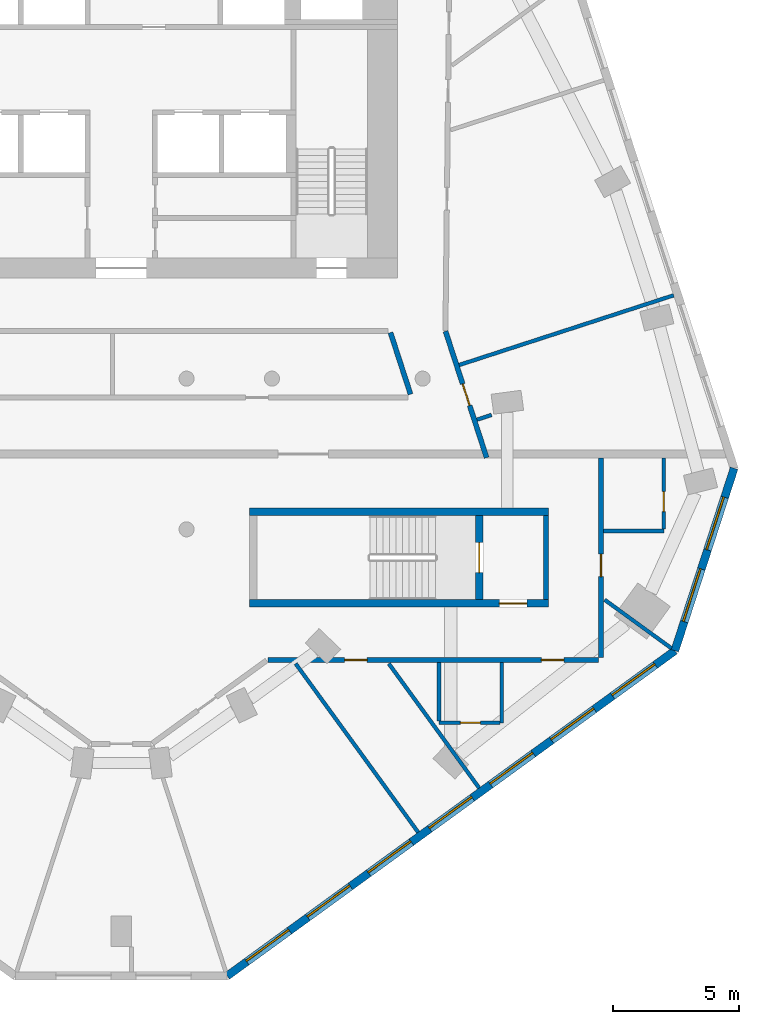
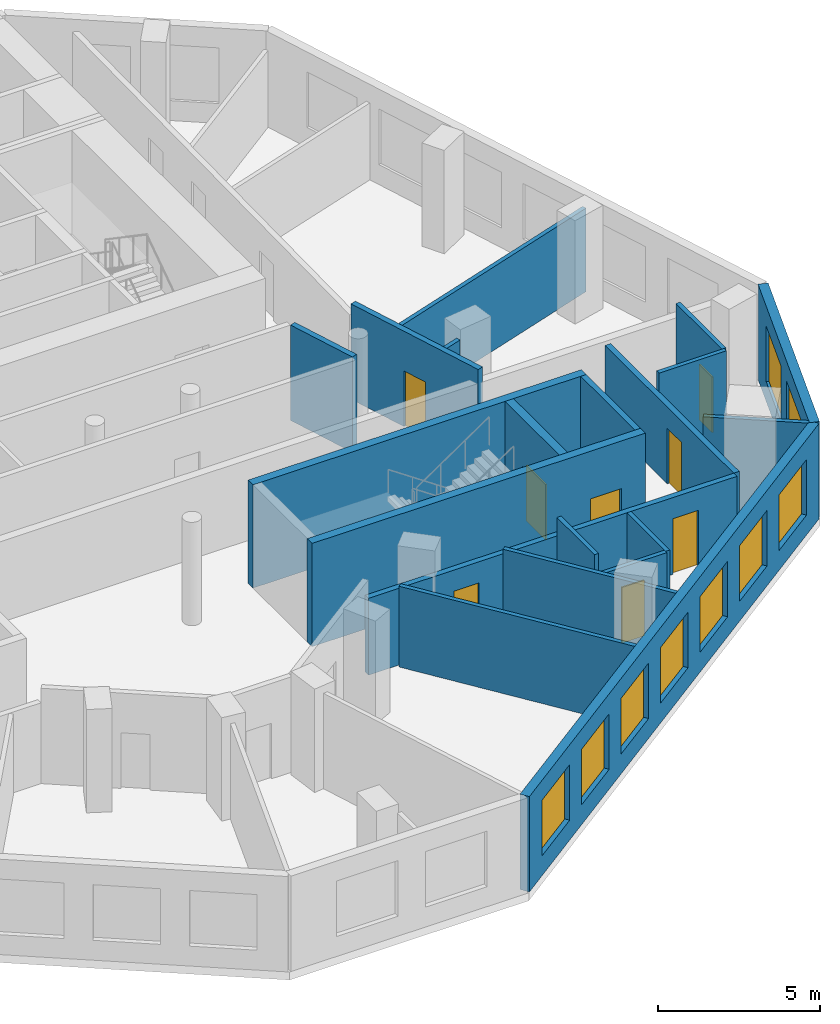
# One storey, part 4 of 9: 20 walls, 9 windows, 8 doors, 17 openings.
"""IFC4 building model written with IfcOpenShell, lengths in metres."""

from ifc_helpers import new_model, si_unit, direction, frame, frame_2d, origin, place, context, subcontext, project, spatial, rectangle, extrude, material, layer, layer_set, type_object, element, fill, save


model = new_model("IFC4")

# Units and contexts
model_context = context("Model", 3, precision=1e-05, world=origin(), true_north=direction((0.0, 1.0)))
body_context = subcontext(model_context, "Body", "Model", "MODEL_VIEW")
ifc_project = project(units=[si_unit("LENGTHUNIT", "METRE"), si_unit("AREAUNIT", "SQUARE_METRE"), si_unit("VOLUMEUNIT", "CUBIC_METRE"), si_unit("PLANEANGLEUNIT", "RADIAN"), si_unit("MASSUNIT", "GRAM", prefix="KILO")], contexts=[model_context])

# Site, building, storey
site_placement = place(None, origin())
site = spatial("IfcSite", under=ifc_project, at=site_placement, CompositionType="ELEMENT")
building_placement = place(site_placement, origin())
building = spatial("IfcBuilding", under=site, at=building_placement, Name="White Candle Pilgrim Tower", CompositionType="ELEMENT")
storey_placement = place(building_placement, frame((0.0, 0.0, 223.800048828125)))
storey = spatial("IfcBuildingStorey", under=building, at=storey_placement, Name="L52", CompositionType="ELEMENT", Elevation=223.800048828125)

# Wall
ifc_material_1 = material(Name="Concrete C50/60", Category="concrete")
ifc_layer_1 = layer(ifc_material_1, 0.199951171875)
ifc_layer_set_1 = layer_set([ifc_layer_1], Name="Core wall 200 mm Concrete C50/60")
wall_type_1 = type_object("IfcWallType", Name="Core wall 200 mm Concrete C50/60", PredefinedType="SHEAR", material=ifc_layer_set_1)
wall_1_placement = place(storey_placement, frame((86.89990234375, 58.199951171875, 0.0), z_axis=(0.0, 0.0, 1.0), x_axis=(0.0, 1.0, 0.0)))
element("IfcWall", 1, at=wall_1_placement, inside=storey, type_object=wall_type_1, Name="WL-L52-C08", PredefinedType="SHEAR", context=body_context, shape_type="SweptSolid", body=[
    extrude(rectangle(XDim=3.35009765625, YDim=0.199951171875, at=frame_2d((1.675048828125, 0.0))), origin(), (0.0, 0.0, 1.0), 3.89990234375),
])

# Wall, opening, door
ifc_material_2 = material(Name="Gypsum board on steel studs", Category="steel")
ifc_layer_2 = layer(ifc_material_2, 0.199951171875)
ifc_layer_set_2 = layer_set([ifc_layer_2], Name="Corridor wall 200 mm EI 45")
wall_type_2 = type_object("IfcWallType", Name="Corridor wall 200 mm EI 45", PredefinedType="PARTITIONING", material=ifc_layer_set_2)
wall_2_placement = place(storey_placement, frame((82.909912109375, 68.884521484375, 0.0), z_axis=(0.0, 0.0, 1.0), x_axis=(0.309009941901, -0.951058807754, 0.0)))
wall_2 = element("IfcWall", 2, at=wall_2_placement, inside=storey, type_object=wall_type_2, Name="WL-L52-P005", PredefinedType="PARTITIONING", context=body_context, shape_type="SweptSolid", body=[
    extrude(rectangle(XDim=5.29345703125, YDim=0.199951171875, at=frame_2d((2.646728515625, 0.0))), origin(), (0.0, 0.0, 1.0), 3.599853515625),
])
opening_1_placement = place(wall_2_placement, frame((2.203857421875, 0.0, 0.0)))
opening_1 = element("IfcOpeningElement", 3, at=opening_1_placement, cuts=wall_2, Name="Opening T16-123", PredefinedType="OPENING", context=body_context, shape_type="SweptSolid", body=[
    extrude(rectangle(XDim=0.89990234375, YDim=2.10009765625, at=frame_2d((0.449951171875, 1.050048828125))), frame((0.0, 0.10986328125, 0.0), z_axis=(0.0, -1.0, 0.0), x_axis=(1.0, 0.0, 0.0)), (0.0, 0.0, 1.0), 0.219970703125),
])
ifc_material_3 = material(Name="Steel door leaf", Category="steel")
door_type_1 = type_object("IfcDoorType", Name="Fire door 900 x 2100 EI 30", OperationType="NOTDEFINED", PredefinedType="DOOR", material=ifc_material_3)
door_1_placement = place(opening_1_placement, origin())
door_1 = element("IfcDoor", 4, at=door_1_placement, inside=storey, type_object=door_type_1, Name="Door T16-123", OperationType="SINGLE_SWING_LEFT", OverallHeight=2.10009765625, OverallWidth=0.89990234375, PredefinedType="DOOR", context=body_context, shape_type="SweptSolid", body=[
    extrude(rectangle(XDim=0.89990234375, YDim=2.10009765625, at=frame_2d((0.449951171875, 1.050048828125))), frame((0.0, 0.02490234375, 0.0), z_axis=(0.0, -1.0, 0.0), x_axis=(1.0, 0.0, 0.0)), (0.0, 0.0, 1.0), 0.050048828125),
])
fill(opening_1, door_1)

wall_3_placement = place(storey_placement, frame((89.10009765625, 63.85009765625, 0.0), z_axis=(0.0, 0.0, 1.0), x_axis=(0.0, -1.0, 0.0)))
wall_3 = element("IfcWall", 5, at=wall_3_placement, inside=storey, type_object=wall_type_2, Name="WL-L52-P006", PredefinedType="PARTITIONING", context=body_context, shape_type="SweptSolid", body=[
    extrude(rectangle(XDim=7.9501953125, YDim=0.199951171875, at=frame_2d((3.97509765625, 0.0))), origin(), (0.0, 0.0, 1.0), 2.89990234375),
])
opening_2_placement = place(wall_3_placement, frame((3.833251953125, 0.0, 0.0)))
opening_2 = element("IfcOpeningElement", 6, at=opening_2_placement, cuts=wall_3, Name="Opening T16-113", PredefinedType="OPENING", context=body_context, shape_type="SweptSolid", body=[
    extrude(rectangle(XDim=0.89990234375, YDim=2.10009765625, at=frame_2d((0.449951171875, 1.050048828125))), frame((0.0, 0.10986328125, 0.0), z_axis=(0.0, -1.0, 0.0), x_axis=(1.0, 0.0, 0.0)), (0.0, 0.0, 1.0), 0.219970703125),
])
door_2_placement = place(opening_2_placement, origin())
door_2 = element("IfcDoor", 7, at=door_2_placement, inside=storey, type_object=door_type_1, Name="Door T16-113", OperationType="SINGLE_SWING_LEFT", OverallHeight=2.10009765625, OverallWidth=0.89990234375, PredefinedType="DOOR", context=body_context, shape_type="SweptSolid", body=[
    extrude(rectangle(XDim=0.89990234375, YDim=2.10009765625, at=frame_2d((0.449951171875, 1.050048828125))), frame((0.0, 0.02490234375, 0.0), z_axis=(0.0, -1.0, 0.0), x_axis=(1.0, 0.0, 0.0)), (0.0, 0.0, 1.0), 0.050048828125),
])
fill(opening_2, door_2)

# Wall, openings, doors
wall_4_placement = place(storey_placement, frame((89.0, 55.800048828125, 0.0), z_axis=(0.0, 0.0, 1.0), x_axis=(-1.0, 0.0, 0.0)))
wall_4 = element("IfcWall", 8, at=wall_4_placement, inside=storey, type_object=wall_type_2, Name="WL-L52-P007", PredefinedType="PARTITIONING", context=body_context, shape_type="SweptSolid", body=[
    extrude(rectangle(XDim=13.156982421875, YDim=0.199951171875, at=frame_2d((6.57861328125, 0.0))), origin(), (0.0, 0.0, 1.0), 2.89990234375),
])
opening_3_placement = place(wall_4_placement, frame((9.2080078125, 0.0, 0.0)))
opening_3 = element("IfcOpeningElement", 9, at=opening_3_placement, cuts=wall_4, Name="Opening T16-109", PredefinedType="OPENING", context=body_context, shape_type="SweptSolid", body=[
    extrude(rectangle(XDim=0.89990234375, YDim=2.10009765625, at=frame_2d((0.449951171875, 1.050048828125))), frame((0.0, 0.10986328125, 0.0), z_axis=(0.0, -1.0, 0.0), x_axis=(1.0, 0.0, 0.0)), (0.0, 0.0, 1.0), 0.219970703125),
])
opening_4_placement = place(wall_4_placement, frame((1.376953125, 0.0, 0.0)))
opening_4 = element("IfcOpeningElement", 10, at=opening_4_placement, cuts=wall_4, Name="Opening T16-111", PredefinedType="OPENING", context=body_context, shape_type="SweptSolid", body=[
    extrude(rectangle(XDim=0.89990234375, YDim=2.10009765625, at=frame_2d((0.449951171875, 1.050048828125))), frame((0.0, 0.10986328125, 0.0), z_axis=(0.0, -1.0, 0.0), x_axis=(1.0, 0.0, 0.0)), (0.0, 0.0, 1.0), 0.219970703125),
])
door_3_placement = place(opening_3_placement, origin())
door_3 = element("IfcDoor", 11, at=door_3_placement, inside=storey, type_object=door_type_1, Name="Door T16-109", OperationType="SINGLE_SWING_LEFT", OverallHeight=2.10009765625, OverallWidth=0.89990234375, PredefinedType="DOOR", context=body_context, shape_type="SweptSolid", body=[
    extrude(rectangle(XDim=0.89990234375, YDim=2.10009765625, at=frame_2d((0.449951171875, 1.050048828125))), frame((0.0, 0.02490234375, 0.0), z_axis=(0.0, -1.0, 0.0), x_axis=(1.0, 0.0, 0.0)), (0.0, 0.0, 1.0), 0.050048828125),
])
fill(opening_3, door_3)
door_4_placement = place(opening_4_placement, origin())
door_4 = element("IfcDoor", 12, at=door_4_placement, inside=storey, type_object=door_type_1, Name="Door T16-111", OperationType="SINGLE_SWING_LEFT", OverallHeight=2.10009765625, OverallWidth=0.89990234375, PredefinedType="DOOR", context=body_context, shape_type="SweptSolid", body=[
    extrude(rectangle(XDim=0.89990234375, YDim=2.10009765625, at=frame_2d((0.449951171875, 1.050048828125))), frame((0.0, 0.02490234375, 0.0), z_axis=(0.0, -1.0, 0.0), x_axis=(1.0, 0.0, 0.0)), (0.0, 0.0, 1.0), 0.050048828125),
])
fill(opening_4, door_4)

# Wall
wall_5_placement = place(storey_placement, frame((81.51513671875, 66.380859375, 0.0), z_axis=(0.0, 0.0, 1.0), x_axis=(-0.308968203288, 0.951072368097, 0.0)))
element("IfcWall", 13, at=wall_5_placement, inside=storey, type_object=wall_type_2, Name="WL-L52-P016", PredefinedType="PARTITIONING", context=body_context, shape_type="SweptSolid", body=[
    extrude(rectangle(XDim=2.575927734375, YDim=0.199951171875, at=frame_2d((1.2880859375, 0.0))), origin(), (0.0, 0.0, 1.0), 3.599853515625),
])

# Wall, openings, windows
ifc_material_4 = material(Name="Precast concrete C40/50", Category="concrete")
ifc_layer_3 = layer(ifc_material_4, 0.320068359375)
ifc_layer_set_3 = layer_set([ifc_layer_3], Name="Facade wall EW1 precast concrete C40/50 pier wall with timber-lined reveals")
wall_type_3 = type_object("IfcWallType", Name="Facade wall EW1 precast concrete C40/50 pier wall with timber-lined reveals", PredefinedType="SOLIDWALL", material=ifc_layer_set_3)
wall_6_placement = place(storey_placement, frame((74.21826171875, 43.221923828125, 0.0), z_axis=(0.0, 0.0, 1.0), x_axis=(0.809020717907, 0.587780127256, 0.0)))
wall_6 = element("IfcWall", 14, at=wall_6_placement, inside=storey, type_object=wall_type_3, Name="Facade wall L52 SE", PredefinedType="SOLIDWALL", context=body_context, shape_type="SweptSolid", body=[
    extrude(rectangle(XDim=22.02490234375, YDim=0.320068359375, at=frame_2d((11.012451171875, 0.0))), origin(), (0.0, 0.0, 1.0), 3.599853515625),
])
opening_5_placement = place(wall_6_placement, frame((0.96240234375, 0.0, 0.75)))
opening_5 = element("IfcOpeningElement", 15, at=opening_5_placement, cuts=wall_6, Name="Opening W3", PredefinedType="OPENING", context=body_context, shape_type="SweptSolid", body=[
    extrude(rectangle(XDim=2.10009765625, YDim=2.10009765625, at=frame_2d((1.050048828125, 1.050048828125))), frame((0.0, 0.169921875, 0.0), z_axis=(0.0, -1.0, 0.0), x_axis=(1.0, 0.0, 0.0)), (0.0, 0.0, 1.0), 0.340087890625),
])
opening_6_placement = place(wall_6_placement, frame((3.96240234375, 0.0, 0.75)))
opening_6 = element("IfcOpeningElement", 16, at=opening_6_placement, cuts=wall_6, Name="Opening W3", PredefinedType="OPENING", context=body_context, shape_type="SweptSolid", body=[
    extrude(rectangle(XDim=2.10009765625, YDim=2.10009765625, at=frame_2d((1.050048828125, 1.050048828125))), frame((0.0, 0.169921875, 0.0), z_axis=(0.0, -1.0, 0.0), x_axis=(1.0, 0.0, 0.0)), (0.0, 0.0, 1.0), 0.340087890625),
])
opening_7_placement = place(wall_6_placement, frame((6.96240234375, 0.0, 0.75)))
opening_7 = element("IfcOpeningElement", 17, at=opening_7_placement, cuts=wall_6, Name="Opening W3", PredefinedType="OPENING", context=body_context, shape_type="SweptSolid", body=[
    extrude(rectangle(XDim=2.10009765625, YDim=2.10009765625, at=frame_2d((1.050048828125, 1.050048828125))), frame((0.0, 0.169921875, 0.0), z_axis=(0.0, -1.0, 0.0), x_axis=(1.0, 0.0, 0.0)), (0.0, 0.0, 1.0), 0.340087890625),
])
opening_8_placement = place(wall_6_placement, frame((9.96240234375, 0.0, 0.75)))
opening_8 = element("IfcOpeningElement", 18, at=opening_8_placement, cuts=wall_6, Name="Opening W3", PredefinedType="OPENING", context=body_context, shape_type="SweptSolid", body=[
    extrude(rectangle(XDim=2.10009765625, YDim=2.10009765625, at=frame_2d((1.050048828125, 1.050048828125))), frame((0.0, 0.169921875, 0.0), z_axis=(0.0, -1.0, 0.0), x_axis=(1.0, 0.0, 0.0)), (0.0, 0.0, 1.0), 0.340087890625),
])
opening_9_placement = place(wall_6_placement, frame((12.96240234375, 0.0, 0.75)))
opening_9 = element("IfcOpeningElement", 19, at=opening_9_placement, cuts=wall_6, Name="Opening W3", PredefinedType="OPENING", context=body_context, shape_type="SweptSolid", body=[
    extrude(rectangle(XDim=2.10009765625, YDim=2.10009765625, at=frame_2d((1.050048828125, 1.050048828125))), frame((0.0, 0.169921875, 0.0), z_axis=(0.0, -1.0, 0.0), x_axis=(1.0, 0.0, 0.0)), (0.0, 0.0, 1.0), 0.340087890625),
])
opening_10_placement = place(wall_6_placement, frame((15.96240234375, 0.0, 0.75)))
opening_10 = element("IfcOpeningElement", 20, at=opening_10_placement, cuts=wall_6, Name="Opening W3", PredefinedType="OPENING", context=body_context, shape_type="SweptSolid", body=[
    extrude(rectangle(XDim=2.10009765625, YDim=2.10009765625, at=frame_2d((1.050048828125, 1.050048828125))), frame((0.0, 0.169921875, 0.0), z_axis=(0.0, -1.0, 0.0), x_axis=(1.0, 0.0, 0.0)), (0.0, 0.0, 1.0), 0.340087890625),
])
opening_11_placement = place(wall_6_placement, frame((18.96240234375, 0.0, 0.75)))
opening_11 = element("IfcOpeningElement", 21, at=opening_11_placement, cuts=wall_6, Name="Opening W3", PredefinedType="OPENING", context=body_context, shape_type="SweptSolid", body=[
    extrude(rectangle(XDim=2.10009765625, YDim=2.10009765625, at=frame_2d((1.050048828125, 1.050048828125))), frame((0.0, 0.169921875, 0.0), z_axis=(0.0, -1.0, 0.0), x_axis=(1.0, 0.0, 0.0)), (0.0, 0.0, 1.0), 0.340087890625),
])
ifc_material_5 = material(Name="Timber frame with triple glazing", Category="wood")
window_type_1 = type_object("IfcWindowType", Name="Window W3 2100x2100 timber frame triple glazing", PartitioningType="SINGLE_PANEL", PredefinedType="WINDOW", material=ifc_material_5)
window_1_placement = place(opening_5_placement, origin())
window_1 = element("IfcWindow", 22, at=window_1_placement, inside=storey, type_object=window_type_1, Name="Window W3 L52 SE 1", OverallHeight=2.10009765625, OverallWidth=2.10009765625, PartitioningType="SINGLE_PANEL", PredefinedType="WINDOW", context=body_context, shape_type="SweptSolid", body=[
    extrude(rectangle(XDim=2.10009765625, YDim=2.10009765625, at=frame_2d((1.050048828125, 1.050048828125))), frame((0.0, 0.070068359375, 0.0), z_axis=(0.0, -1.0, 0.0), x_axis=(1.0, 0.0, 0.0)), (0.0, 0.0, 1.0), 0.06005859375),
])
fill(opening_5, window_1)
window_2_placement = place(opening_6_placement, origin())
window_2 = element("IfcWindow", 23, at=window_2_placement, inside=storey, type_object=window_type_1, Name="Window W3 L52 SE 2", OverallHeight=2.10009765625, OverallWidth=2.10009765625, PartitioningType="SINGLE_PANEL", PredefinedType="WINDOW", context=body_context, shape_type="SweptSolid", body=[
    extrude(rectangle(XDim=2.10009765625, YDim=2.10009765625, at=frame_2d((1.050048828125, 1.050048828125))), frame((0.0, 0.070068359375, 0.0), z_axis=(0.0, -1.0, 0.0), x_axis=(1.0, 0.0, 0.0)), (0.0, 0.0, 1.0), 0.06005859375),
])
fill(opening_6, window_2)
window_3_placement = place(opening_7_placement, origin())
window_3 = element("IfcWindow", 24, at=window_3_placement, inside=storey, type_object=window_type_1, Name="Window W3 L52 SE 3", OverallHeight=2.10009765625, OverallWidth=2.10009765625, PartitioningType="SINGLE_PANEL", PredefinedType="WINDOW", context=body_context, shape_type="SweptSolid", body=[
    extrude(rectangle(XDim=2.10009765625, YDim=2.10009765625, at=frame_2d((1.050048828125, 1.050048828125))), frame((0.0, 0.070068359375, 0.0), z_axis=(0.0, -1.0, 0.0), x_axis=(1.0, 0.0, 0.0)), (0.0, 0.0, 1.0), 0.06005859375),
])
fill(opening_7, window_3)
window_4_placement = place(opening_8_placement, origin())
window_4 = element("IfcWindow", 25, at=window_4_placement, inside=storey, type_object=window_type_1, Name="Window W3 L52 SE 4", OverallHeight=2.10009765625, OverallWidth=2.10009765625, PartitioningType="SINGLE_PANEL", PredefinedType="WINDOW", context=body_context, shape_type="SweptSolid", body=[
    extrude(rectangle(XDim=2.10009765625, YDim=2.10009765625, at=frame_2d((1.050048828125, 1.050048828125))), frame((0.0, 0.070068359375, 0.0), z_axis=(0.0, -1.0, 0.0), x_axis=(1.0, 0.0, 0.0)), (0.0, 0.0, 1.0), 0.06005859375),
])
fill(opening_8, window_4)
window_5_placement = place(opening_9_placement, origin())
window_5 = element("IfcWindow", 26, at=window_5_placement, inside=storey, type_object=window_type_1, Name="Window W3 L52 SE 5", OverallHeight=2.10009765625, OverallWidth=2.10009765625, PartitioningType="SINGLE_PANEL", PredefinedType="WINDOW", context=body_context, shape_type="SweptSolid", body=[
    extrude(rectangle(XDim=2.10009765625, YDim=2.10009765625, at=frame_2d((1.050048828125, 1.050048828125))), frame((0.0, 0.070068359375, 0.0), z_axis=(0.0, -1.0, 0.0), x_axis=(1.0, 0.0, 0.0)), (0.0, 0.0, 1.0), 0.06005859375),
])
fill(opening_9, window_5)
window_6_placement = place(opening_10_placement, origin())
window_6 = element("IfcWindow", 27, at=window_6_placement, inside=storey, type_object=window_type_1, Name="Window W3 L52 SE 6", OverallHeight=2.10009765625, OverallWidth=2.10009765625, PartitioningType="SINGLE_PANEL", PredefinedType="WINDOW", context=body_context, shape_type="SweptSolid", body=[
    extrude(rectangle(XDim=2.10009765625, YDim=2.10009765625, at=frame_2d((1.050048828125, 1.050048828125))), frame((0.0, 0.070068359375, 0.0), z_axis=(0.0, -1.0, 0.0), x_axis=(1.0, 0.0, 0.0)), (0.0, 0.0, 1.0), 0.06005859375),
])
fill(opening_10, window_6)
window_7_placement = place(opening_11_placement, origin())
window_7 = element("IfcWindow", 28, at=window_7_placement, inside=storey, type_object=window_type_1, Name="Window W3 L52 SE 7", OverallHeight=2.10009765625, OverallWidth=2.10009765625, PartitioningType="SINGLE_PANEL", PredefinedType="WINDOW", context=body_context, shape_type="SweptSolid", body=[
    extrude(rectangle(XDim=2.10009765625, YDim=2.10009765625, at=frame_2d((1.050048828125, 1.050048828125))), frame((0.0, 0.070068359375, 0.0), z_axis=(0.0, -1.0, 0.0), x_axis=(1.0, 0.0, 0.0)), (0.0, 0.0, 1.0), 0.06005859375),
])
fill(opening_11, window_7)

wall_7_placement = place(storey_placement, frame((92.036865234375, 56.167724609375, 0.0), z_axis=(0.0, 0.0, 1.0), x_axis=(0.308997893913, 0.951062722199, 0.0)))
wall_7 = element("IfcWall", 29, at=wall_7_placement, inside=storey, type_object=wall_type_3, Name="Facade wall L52 E chamfer", PredefinedType="SOLIDWALL", context=body_context, shape_type="SweptSolid", body=[
    extrude(rectangle(XDim=7.637939453125, YDim=0.320068359375, at=frame_2d((3.81884765625, 0.0))), origin(), (0.0, 0.0, 1.0), 3.599853515625),
])
opening_12_placement = place(wall_7_placement, frame((1.218994140625, 0.0, 0.75)))
opening_12 = element("IfcOpeningElement", 30, at=opening_12_placement, cuts=wall_7, Name="Opening W4", PredefinedType="OPENING", context=body_context, shape_type="SweptSolid", body=[
    extrude(rectangle(XDim=2.199951171875, YDim=2.10009765625, at=frame_2d((1.10009765625, 1.050048828125))), frame((0.0, 0.169921875, 0.0), z_axis=(0.0, -1.0, 0.0), x_axis=(1.0, 0.0, 0.0)), (0.0, 0.0, 1.0), 0.340087890625),
])
opening_13_placement = place(wall_7_placement, frame((4.218994140625, 0.0, 0.75)))
opening_13 = element("IfcOpeningElement", 31, at=opening_13_placement, cuts=wall_7, Name="Opening W4", PredefinedType="OPENING", context=body_context, shape_type="SweptSolid", body=[
    extrude(rectangle(XDim=2.199951171875, YDim=2.10009765625, at=frame_2d((1.10009765625, 1.050048828125))), frame((0.0, 0.169921875, 0.0), z_axis=(0.0, -1.0, 0.0), x_axis=(1.0, 0.0, 0.0)), (0.0, 0.0, 1.0), 0.340087890625),
])
window_type_2 = type_object("IfcWindowType", Name="Window W4 2200x2100 timber frame triple glazing", PartitioningType="SINGLE_PANEL", PredefinedType="WINDOW", material=ifc_material_5)
window_8_placement = place(opening_12_placement, origin())
window_8 = element("IfcWindow", 32, at=window_8_placement, inside=storey, type_object=window_type_2, Name="Window W4 L52 E chamfer 1", OverallHeight=2.10009765625, OverallWidth=2.199951171875, PartitioningType="SINGLE_PANEL", PredefinedType="WINDOW", context=body_context, shape_type="SweptSolid", body=[
    extrude(rectangle(XDim=2.199951171875, YDim=2.10009765625, at=frame_2d((1.10009765625, 1.050048828125))), frame((0.0, 0.070068359375, 0.0), z_axis=(0.0, -1.0, 0.0), x_axis=(1.0, 0.0, 0.0)), (0.0, 0.0, 1.0), 0.06005859375),
])
fill(opening_12, window_8)
window_9_placement = place(opening_13_placement, origin())
window_9 = element("IfcWindow", 33, at=window_9_placement, inside=storey, type_object=window_type_2, Name="Window W4 L52 E chamfer 2", OverallHeight=2.10009765625, OverallWidth=2.199951171875, PartitioningType="SINGLE_PANEL", PredefinedType="WINDOW", context=body_context, shape_type="SweptSolid", body=[
    extrude(rectangle(XDim=2.199951171875, YDim=2.10009765625, at=frame_2d((1.10009765625, 1.050048828125))), frame((0.0, 0.070068359375, 0.0), z_axis=(0.0, -1.0, 0.0), x_axis=(1.0, 0.0, 0.0)), (0.0, 0.0, 1.0), 0.06005859375),
])
fill(opening_13, window_9)

# Walls
ifc_layer_4 = layer(ifc_material_2, 0.14990234375)
ifc_layer_set_4 = layer_set([ifc_layer_4], Name="Partition 150 mm EI 60")
wall_type_4 = type_object("IfcWallType", Name="Partition 150 mm EI 60", PredefinedType="PARTITIONING", material=ifc_layer_set_4)
wall_8_placement = place(storey_placement, frame((91.900634765625, 56.2666015625, 0.0), z_axis=(0.0, 0.0, 1.0), x_axis=(-0.808999643258, 0.587809133315, 0.0)))
element("IfcWall", 34, at=wall_8_placement, inside=storey, type_object=wall_type_4, Name="WL-L52-P021", PredefinedType="PARTITIONING", context=body_context, shape_type="SweptSolid", body=[
    extrude(rectangle(XDim=3.28369140625, YDim=0.14990234375, at=frame_2d((1.641845703125, 0.0))), origin(), (0.0, 0.0, 1.0), 3.599853515625),
])
wall_9_placement = place(storey_placement, frame((81.820068359375, 48.942626953125, 0.0), z_axis=(0.0, 0.0, 1.0), x_axis=(-0.587795526612, 0.809009529545, 0.0)))
element("IfcWall", 35, at=wall_9_placement, inside=storey, type_object=wall_type_4, Name="WL-L52-P029", PredefinedType="PARTITIONING", context=body_context, shape_type="SweptSolid", body=[
    extrude(rectangle(XDim=8.29833984375, YDim=0.14990234375, at=frame_2d((4.149169921875, 0.0))), origin(), (0.0, 0.0, 1.0), 3.050048828125),
])
wall_10_placement = place(storey_placement, frame((84.2470703125, 50.705810546875, 0.0), z_axis=(0.0, 0.0, 1.0), x_axis=(-0.58777542513, 0.809024134135, 0.0)))
element("IfcWall", 36, at=wall_10_placement, inside=storey, type_object=wall_type_4, Name="WL-L52-P030", PredefinedType="PARTITIONING", context=body_context, shape_type="SweptSolid", body=[
    extrude(rectangle(XDim=6.11865234375, YDim=0.14990234375, at=frame_2d((3.059326171875, 0.0))), origin(), (0.0, 0.0, 1.0), 3.14990234375),
])
wall_11_placement = place(storey_placement, frame((85.14599609375, 55.699951171875, 0.0), z_axis=(0.0, 0.0, 1.0), x_axis=(0.0, -1.0, 0.0)))
element("IfcWall", 37, at=wall_11_placement, inside=storey, type_object=wall_type_4, Name="WL-L52-P031", PredefinedType="PARTITIONING", context=body_context, shape_type="SweptSolid", body=[
    extrude(rectangle(XDim=2.39990234375, YDim=0.14990234375, at=frame_2d((1.199951171875, 0.0))), origin(), (0.0, 0.0, 1.0), 2.89990234375),
])

# Wall, opening, door
wall_12_placement = place(storey_placement, frame((82.64599609375, 53.300048828125, 0.0), z_axis=(0.0, 0.0, 1.0), x_axis=(1.0, 0.0, 0.0)))
wall_12 = element("IfcWall", 38, at=wall_12_placement, inside=storey, type_object=wall_type_4, Name="WL-L52-P032", PredefinedType="PARTITIONING", context=body_context, shape_type="SweptSolid", body=[
    extrude(rectangle(XDim=2.425048828125, YDim=0.14990234375, at=frame_2d((1.21240234375, 0.0))), origin(), (0.0, 0.0, 1.0), 2.89990234375),
])
opening_14_placement = place(wall_12_placement, frame((0.85009765625, 0.0, 0.0)))
opening_14 = element("IfcOpeningElement", 39, at=opening_14_placement, cuts=wall_12, Name="Opening T16-110", PredefinedType="OPENING", context=body_context, shape_type="SweptSolid", body=[
    extrude(rectangle(XDim=0.800048828125, YDim=2.10009765625, at=frame_2d((0.39990234375, 1.050048828125))), frame((0.0, 0.0849609375, 0.0), z_axis=(0.0, -1.0, 0.0), x_axis=(1.0, 0.0, 0.0)), (0.0, 0.0, 1.0), 0.169921875),
])
door_type_2 = type_object("IfcDoorType", Name="Fire door 800 x 2100 EI 30", OperationType="NOTDEFINED", PredefinedType="DOOR", material=ifc_material_3)
door_5_placement = place(opening_14_placement, frame((0.800048828125, 0.0, 0.0), z_axis=(0.0, 0.0, 1.0), x_axis=(-1.0, 0.0, 0.0)))
door_5 = element("IfcDoor", 40, at=door_5_placement, inside=storey, type_object=door_type_2, Name="Door T16-110", OperationType="SINGLE_SWING_LEFT", OverallHeight=2.10009765625, OverallWidth=0.800048828125, PredefinedType="DOOR", context=body_context, shape_type="SweptSolid", body=[
    extrude(rectangle(XDim=0.800048828125, YDim=2.10009765625, at=frame_2d((0.39990234375, 1.050048828125))), frame((0.0, 0.02490234375, 0.0), z_axis=(0.0, -1.0, 0.0), x_axis=(1.0, 0.0, 0.0)), (0.0, 0.0, 1.0), 0.050048828125),
])
fill(opening_14, door_5)

# Walls
wall_13_placement = place(storey_placement, frame((82.64599609375, 55.699951171875, 0.0), z_axis=(0.0, 0.0, 1.0), x_axis=(0.0, -1.0, 0.0)))
element("IfcWall", 41, at=wall_13_placement, inside=storey, type_object=wall_type_4, Name="WL-L52-P033", PredefinedType="PARTITIONING", context=body_context, shape_type="SweptSolid", body=[
    extrude(rectangle(XDim=2.324951171875, YDim=0.14990234375, at=frame_2d((1.16259765625, 0.0))), origin(), (0.0, 0.0, 1.0), 3.599853515625),
])
wall_14_placement = place(storey_placement, frame((89.199951171875, 60.931884765625, 0.0), z_axis=(0.0, 0.0, 1.0), x_axis=(1.0, 0.0, 0.0)))
element("IfcWall", 42, at=wall_14_placement, inside=storey, type_object=wall_type_4, Name="WL-L52-P034", PredefinedType="PARTITIONING", context=body_context, shape_type="SweptSolid", body=[
    extrude(rectangle(XDim=2.400146484375, YDim=0.14990234375, at=frame_2d((1.2001953125, 0.0))), origin(), (0.0, 0.0, 1.0), 3.599853515625),
])

# Wall, opening, door
wall_15_placement = place(storey_placement, frame((91.60009765625, 63.85009765625, 0.0), z_axis=(0.0, 0.0, 1.0), x_axis=(0.0, -1.0, 0.0)))
wall_15 = element("IfcWall", 43, at=wall_15_placement, inside=storey, type_object=wall_type_4, Name="WL-L52-P035", PredefinedType="PARTITIONING", context=body_context, shape_type="SweptSolid", body=[
    extrude(rectangle(XDim=2.84326171875, YDim=0.14990234375, at=frame_2d((1.421630859375, 0.0))), origin(), (0.0, 0.0, 1.0), 3.599853515625),
])
opening_15_placement = place(wall_15_placement, frame((1.34326171875, 0.0, 0.0)))
opening_15 = element("IfcOpeningElement", 44, at=opening_15_placement, cuts=wall_15, Name="Opening T16-112", PredefinedType="OPENING", context=body_context, shape_type="SweptSolid", body=[
    extrude(rectangle(XDim=0.800048828125, YDim=2.10009765625, at=frame_2d((0.39990234375, 1.050048828125))), frame((0.0, 0.0849609375, 0.0), z_axis=(0.0, -1.0, 0.0), x_axis=(1.0, 0.0, 0.0)), (0.0, 0.0, 1.0), 0.169921875),
])
door_6_placement = place(opening_15_placement, origin())
door_6 = element("IfcDoor", 45, at=door_6_placement, inside=storey, type_object=door_type_2, Name="Door T16-112", OperationType="SINGLE_SWING_RIGHT", OverallHeight=2.10009765625, OverallWidth=0.800048828125, PredefinedType="DOOR", context=body_context, shape_type="SweptSolid", body=[
    extrude(rectangle(XDim=0.800048828125, YDim=2.10009765625, at=frame_2d((0.39990234375, 1.050048828125))), frame((0.0, 0.02490234375, 0.0), z_axis=(0.0, -1.0, 0.0), x_axis=(1.0, 0.0, 0.0)), (0.0, 0.0, 1.0), 0.050048828125),
])
fill(opening_15, door_6)

# Walls
wall_16_placement = place(storey_placement, frame((91.99169921875, 70.31689453125, 0.0), z_axis=(0.0, 0.0, 1.0), x_axis=(-0.951059239389, -0.309008613427, 0.0)))
element("IfcWall", 46, at=wall_16_placement, inside=storey, type_object=wall_type_4, Name="WL-L52-P036", PredefinedType="PARTITIONING", context=body_context, shape_type="SweptSolid", body=[
    extrude(rectangle(XDim=8.97998046875, YDim=0.14990234375, at=frame_2d((4.489990234375, 0.0))), origin(), (0.0, 0.0, 1.0), 3.14990234375),
])
wall_17_placement = place(storey_placement, frame((84.7431640625, 65.55517578125, 0.0), z_axis=(0.0, 0.0, 1.0), x_axis=(-0.951077833303, -0.30895137967, 0.0)))
element("IfcWall", 47, at=wall_17_placement, inside=storey, type_object=wall_type_4, Name="WL-L52-P040", PredefinedType="PARTITIONING", context=body_context, shape_type="SweptSolid", body=[
    extrude(rectangle(XDim=0.61474609375, YDim=0.14990234375, at=frame_2d((0.307373046875, 0.0))), origin(), (0.0, 0.0, 1.0), 3.599853515625),
])

# Wall, opening, door
ifc_layer_5 = layer(ifc_material_1, 0.300048828125)
ifc_layer_set_5 = layer_set([ifc_layer_5], Name="Stair shaft wall 300 mm Concrete C50/60")
wall_type_5 = type_object("IfcWallType", Name="Stair shaft wall 300 mm Concrete C50/60", PredefinedType="SHEAR", material=ifc_layer_set_5)
wall_18_placement = place(storey_placement, frame((75.10009765625, 58.050048828125, 0.0), z_axis=(0.0, 0.0, 1.0), x_axis=(1.0, 0.0, 0.0)))
wall_18 = element("IfcWall", 48, at=wall_18_placement, inside=storey, type_object=wall_type_5, Name="WL-L52-C02", PredefinedType="SHEAR", context=body_context, shape_type="SweptSolid", body=[
    extrude(rectangle(XDim=11.89990234375, YDim=0.300048828125, at=frame_2d((5.949951171875, 0.0))), origin(), (0.0, 0.0, 1.0), 3.89990234375),
])
opening_16_placement = place(wall_18_placement, frame((9.949951171875, 0.0, 0.0)))
opening_16 = element("IfcOpeningElement", 49, at=opening_16_placement, cuts=wall_18, Name="Opening T16-012", PredefinedType="OPENING", context=body_context, shape_type="SweptSolid", body=[
    extrude(rectangle(XDim=1.10009765625, YDim=2.10009765625, at=frame_2d((0.550048828125, 1.050048828125))), frame((0.0, 0.159912109375, 0.0), z_axis=(0.0, -1.0, 0.0), x_axis=(1.0, 0.0, 0.0)), (0.0, 0.0, 1.0), 0.320068359375),
])
door_type_3 = type_object("IfcDoorType", Name="Fire door 1100 x 2100 EI 60", OperationType="NOTDEFINED", PredefinedType="DOOR", material=ifc_material_3)
door_7_placement = place(opening_16_placement, origin())
door_7 = element("IfcDoor", 50, at=door_7_placement, inside=storey, type_object=door_type_3, Name="Door T16-012", OperationType="SINGLE_SWING_RIGHT", OverallHeight=2.10009765625, OverallWidth=1.10009765625, PredefinedType="DOOR", context=body_context, shape_type="SweptSolid", body=[
    extrude(rectangle(XDim=1.10009765625, YDim=2.10009765625, at=frame_2d((0.550048828125, 1.050048828125))), frame((0.0, 0.02490234375, 0.0), z_axis=(0.0, -1.0, 0.0), x_axis=(1.0, 0.0, 0.0)), (0.0, 0.0, 1.0), 0.050048828125),
])
fill(opening_16, door_7)

wall_19_placement = place(storey_placement, frame((84.25, 58.199951171875, 0.0), z_axis=(0.0, 0.0, 1.0), x_axis=(0.0, 1.0, 0.0)))
wall_19 = element("IfcWall", 51, at=wall_19_placement, inside=storey, type_object=wall_type_5, Name="WL-L52-C07", PredefinedType="SHEAR", context=body_context, shape_type="SweptSolid", body=[
    extrude(rectangle(XDim=3.35009765625, YDim=0.300048828125, at=frame_2d((1.675048828125, 0.0))), origin(), (0.0, 0.0, 1.0), 3.89990234375),
])
opening_17_placement = place(wall_19_placement, frame((1.074951171875, 0.0, 0.0)))
opening_17 = element("IfcOpeningElement", 52, at=opening_17_placement, cuts=wall_19, Name="Opening T16-013", PredefinedType="OPENING", context=body_context, shape_type="SweptSolid", body=[
    extrude(rectangle(XDim=1.199951171875, YDim=2.10009765625, at=frame_2d((0.60009765625, 1.050048828125))), frame((0.0, 0.159912109375, 0.0), z_axis=(0.0, -1.0, 0.0), x_axis=(1.0, 0.0, 0.0)), (0.0, 0.0, 1.0), 0.320068359375),
])
door_type_4 = type_object("IfcDoorType", Name="Fire door 1200 x 2100 EI 60", OperationType="NOTDEFINED", PredefinedType="DOOR", material=ifc_material_3)
door_8_placement = place(opening_17_placement, origin())
door_8 = element("IfcDoor", 53, at=door_8_placement, inside=storey, type_object=door_type_4, Name="Door T16-013", OperationType="SINGLE_SWING_LEFT", OverallHeight=2.10009765625, OverallWidth=1.199951171875, PredefinedType="DOOR", context=body_context, shape_type="SweptSolid", body=[
    extrude(rectangle(XDim=1.199951171875, YDim=2.10009765625, at=frame_2d((0.60009765625, 1.050048828125))), frame((0.0, 0.02490234375, 0.0), z_axis=(0.0, -1.0, 0.0), x_axis=(1.0, 0.0, 0.0)), (0.0, 0.0, 1.0), 0.050048828125),
])
fill(opening_17, door_8)

# Wall
wall_20_placement = place(storey_placement, frame((75.10009765625, 61.699951171875, 0.0), z_axis=(0.0, 0.0, 1.0), x_axis=(1.0, 0.0, 0.0)))
element("IfcWall", 54, at=wall_20_placement, inside=storey, type_object=wall_type_5, Name="WL-L52-C10", PredefinedType="SHEAR", context=body_context, shape_type="SweptSolid", body=[
    extrude(rectangle(XDim=11.89990234375, YDim=0.300048828125, at=frame_2d((5.949951171875, 0.0))), origin(), (0.0, 0.0, 1.0), 3.89990234375),
])

save(model, "model.ifc")
